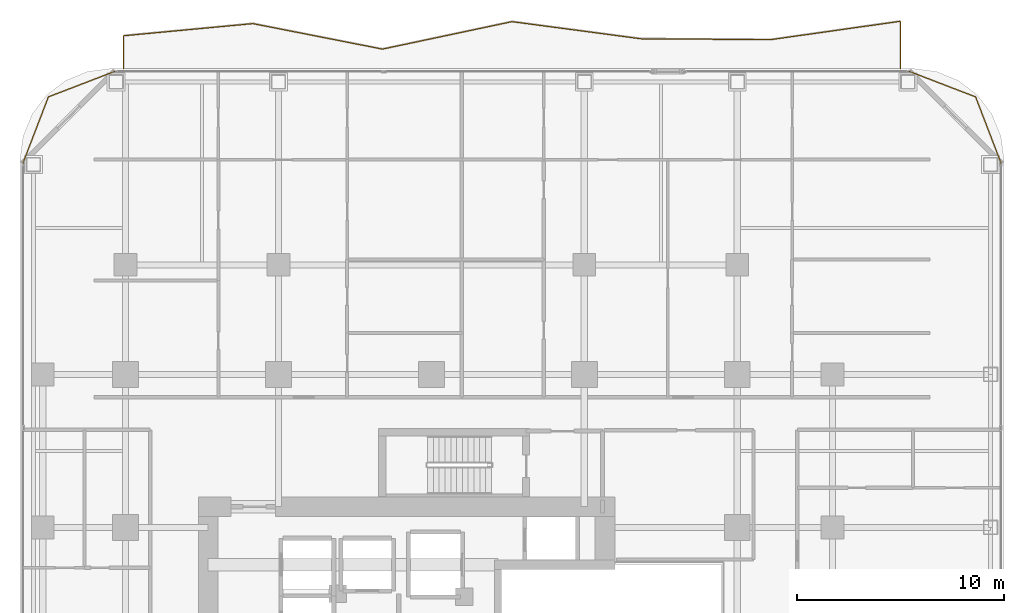
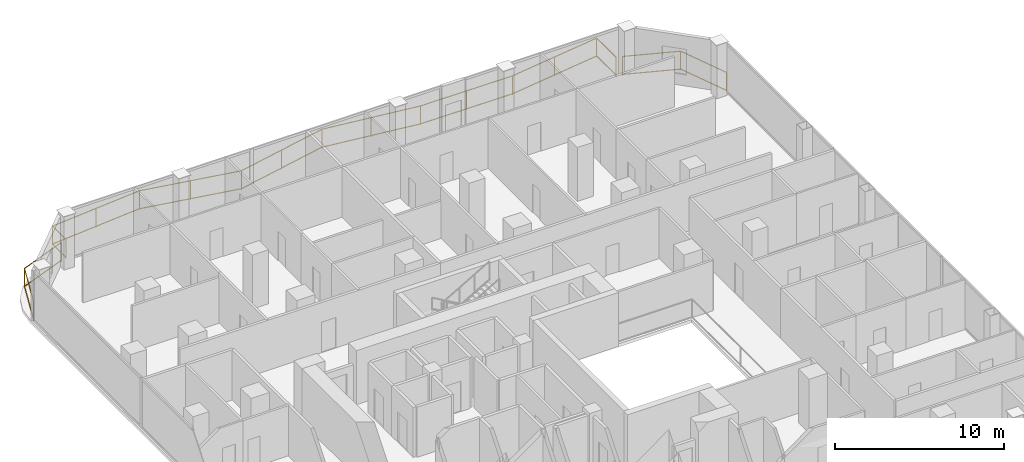
# One storey, part 27 of 27: 3 railings.
"""IFC4 building model written with IfcOpenShell, lengths in metres."""

from ifc_helpers import new_model, si_unit, direction, frame, origin, origin_2d, place, context, subcontext, project, spatial, rectangle, extrude, material, type_object, element, save


model = new_model("IFC4")

# Units and contexts
model_context = context("Model", 3, precision=1e-05, world=origin(), true_north=direction((0.0, 1.0)))
body_context = subcontext(model_context, "Body", "Model", "MODEL_VIEW")
ifc_project = project(units=[si_unit("LENGTHUNIT", "METRE"), si_unit("AREAUNIT", "SQUARE_METRE"), si_unit("VOLUMEUNIT", "CUBIC_METRE"), si_unit("PLANEANGLEUNIT", "RADIAN"), si_unit("MASSUNIT", "GRAM", prefix="KILO")], contexts=[model_context])

# Site, building, storey
site_placement = place(None, origin())
site = spatial("IfcSite", under=ifc_project, at=site_placement, CompositionType="ELEMENT")
building_placement = place(site_placement, origin())
building = spatial("IfcBuilding", under=site, at=building_placement, Name="Khorvyn Point Tower", CompositionType="ELEMENT")
storey_placement = place(building_placement, frame((0.0, 0.0, 132.89990234375)))
storey = spatial("IfcBuildingStorey", under=building, at=storey_placement, Name="L33", CompositionType="ELEMENT", Elevation=132.89990234375)

# Railings
ifc_material = material(Name="Anodised aluminium 6063-T6 and laminated safety glass", Category="aluminium")
railing_type = type_object("IfcRailingType", Name="Laminated Glass and Aluminium Balcony Guardrail 1400", PredefinedType="BALUSTRADE", material=ifc_material)
railing_1_placement = place(storey_placement, frame((-15.27587890625, 29.47412109375, 0.0)))
element("IfcRailing", 1, at=railing_1_placement, inside=storey, type_object=railing_type, Name="L33 Rounded Corner Edge Guardrail NW", PredefinedType="BALUSTRADE", context=body_context, shape_type="SweptSolid", body=[
    extrude(rectangle(XDim=0.048095703125, YDim=0.048095703125, at=origin_2d()), frame((0.0, 0.0, 1.3759765625), z_axis=(-0.933574931257, -0.358382264808, 0.0), x_axis=(0.358382264808, -0.933574931257, 0.0)), (0.0, 0.0, 1.0), 3.481689453125),
    extrude(rectangle(XDim=0.048095703125, YDim=0.048095703125, at=origin_2d()), frame((0.0, 0.0, 0.080078125), z_axis=(-0.933574931257, -0.358382264808, 0.0), x_axis=(0.358382264808, -0.933574931257, 0.0)), (0.0, 0.0, 1.0), 3.481689453125),
    extrude(rectangle(XDim=0.048095703125, YDim=0.048095703125, at=origin_2d()), frame((-3.25048828125, -1.247802734375, 1.3759765625), z_axis=(-0.35840572668, -0.933565924337, 0.0), x_axis=(0.933565924337, -0.35840572668, 0.0)), (0.0, 0.0, 1.0), 3.4814453125),
    extrude(rectangle(XDim=0.048095703125, YDim=0.048095703125, at=origin_2d()), frame((-3.25048828125, -1.247802734375, 0.080078125), z_axis=(-0.35840572668, -0.933565924337, 0.0), x_axis=(0.933565924337, -0.35840572668, 0.0)), (0.0, 0.0, 1.0), 3.4814453125),
    extrude(rectangle(XDim=0.0419921875, YDim=0.0419921875, at=origin_2d()), origin(), (0.0, 0.0, 1.0), 1.351806640625),
    extrude(rectangle(XDim=0.0419921875, YDim=0.0419921875, at=origin_2d()), frame((-3.25048828125, -1.247802734375, 0.0)), (0.0, 0.0, 1.0), 1.351806640625),
    extrude(rectangle(XDim=0.0419921875, YDim=0.0419921875, at=origin_2d()), frame((-4.498291015625, -4.498046875, 0.0)), (0.0, 0.0, 1.0), 1.351806640625),
])
railing_2_placement = place(storey_placement, frame((27.57421875, 24.97607421875, 0.0)))
element("IfcRailing", 2, at=railing_2_placement, inside=storey, type_object=railing_type, Name="L33 Rounded Corner Edge Guardrail NE", PredefinedType="BALUSTRADE", context=body_context, shape_type="SweptSolid", body=[
    extrude(rectangle(XDim=0.048095703125, YDim=0.048095703125, at=origin_2d()), frame((0.0, 0.0, 1.3759765625), z_axis=(-0.35840572668, 0.933565924337, 0.0), x_axis=(-0.933565924337, -0.35840572668, 0.0)), (0.0, 0.0, 1.0), 3.4814453125),
    extrude(rectangle(XDim=0.048095703125, YDim=0.048095703125, at=origin_2d()), frame((0.0, 0.0, 0.080078125), z_axis=(-0.35840572668, 0.933565924337, 0.0), x_axis=(-0.933565924337, -0.35840572668, 0.0)), (0.0, 0.0, 1.0), 3.4814453125),
    extrude(rectangle(XDim=0.048095703125, YDim=0.048095703125, at=origin_2d()), frame((-1.247802734375, 3.250244140625, 1.3759765625), z_axis=(-0.933574931257, 0.358382264808, 0.0), x_axis=(-0.358382264808, -0.933574931257, 0.0)), (0.0, 0.0, 1.0), 3.481689453125),
    extrude(rectangle(XDim=0.048095703125, YDim=0.048095703125, at=origin_2d()), frame((-1.247802734375, 3.250244140625, 0.080078125), z_axis=(-0.933574931257, 0.358382264808, 0.0), x_axis=(-0.358382264808, -0.933574931257, 0.0)), (0.0, 0.0, 1.0), 3.481689453125),
    extrude(rectangle(XDim=0.0419921875, YDim=0.0419921875, at=origin_2d()), origin(), (0.0, 0.0, 1.0), 1.351806640625),
    extrude(rectangle(XDim=0.0419921875, YDim=0.0419921875, at=origin_2d()), frame((-1.247802734375, 3.250244140625, 0.0)), (0.0, 0.0, 1.0), 1.351806640625),
    extrude(rectangle(XDim=0.0419921875, YDim=0.0419921875, at=origin_2d()), frame((-4.498291015625, 4.498046875, 0.0)), (0.0, 0.0, 1.0), 1.351806640625),
])
railing_3_placement = place(storey_placement, frame((22.699951171875, 29.60009765625, 0.0)))
element("IfcRailing", 3, at=railing_3_placement, inside=storey, type_object=railing_type, Name="L33 North Balcony Guardrail", PredefinedType="BALUSTRADE", context=body_context, shape_type="SweptSolid", body=[
    extrude(rectangle(XDim=0.048095703125, YDim=0.048095703125, at=origin_2d()), frame((0.0, 0.0, 1.3759765625), z_axis=(0.0, 1.0, 0.0), x_axis=(-1.0, 0.0, 0.0)), (0.0, 0.0, 1.0), 2.285400390625),
    extrude(rectangle(XDim=0.048095703125, YDim=0.048095703125, at=origin_2d()), frame((0.0, 0.0, 0.080078125), z_axis=(0.0, 1.0, 0.0), x_axis=(-1.0, 0.0, 0.0)), (0.0, 0.0, 1.0), 2.285400390625),
    extrude(rectangle(XDim=0.048095703125, YDim=0.048095703125, at=origin_2d()), frame((0.0, 2.285400390625, 1.3759765625), z_axis=(-0.990115445767, -0.14025478264, 0.0), x_axis=(0.14025478264, -0.990115445767, 0.0)), (0.0, 0.0, 1.0), 6.3291015625),
    extrude(rectangle(XDim=0.048095703125, YDim=0.048095703125, at=origin_2d()), frame((0.0, 2.285400390625, 0.080078125), z_axis=(-0.990115445767, -0.14025478264, 0.0), x_axis=(0.14025478264, -0.990115445767, 0.0)), (0.0, 0.0, 1.0), 6.3291015625),
    extrude(rectangle(XDim=0.048095703125, YDim=0.048095703125, at=origin_2d()), frame((-6.2666015625, 1.397705078125, 1.3759765625), z_axis=(-0.999983823628, 0.005687924195, 0.0), x_axis=(-0.005687924195, -0.999983823628, 0.0)), (0.0, 0.0, 1.0), 6.2666015625),
    extrude(rectangle(XDim=0.048095703125, YDim=0.048095703125, at=origin_2d()), frame((-6.2666015625, 1.397705078125, 0.080078125), z_axis=(-0.999983823628, 0.005687924195, 0.0), x_axis=(-0.005687924195, -0.999983823628, 0.0)), (0.0, 0.0, 1.0), 6.2666015625),
    extrude(rectangle(XDim=0.048095703125, YDim=0.048095703125, at=origin_2d()), frame((-12.533203125, 1.433349609375, 1.3759765625), z_axis=(-0.991301274435, 0.131612246027, 0.0), x_axis=(-0.131612246027, -0.991301274435, 0.0)), (0.0, 0.0, 1.0), 6.32177734375),
    extrude(rectangle(XDim=0.048095703125, YDim=0.048095703125, at=origin_2d()), frame((-12.533203125, 1.433349609375, 0.080078125), z_axis=(-0.991301274435, 0.131612246027, 0.0), x_axis=(-0.131612246027, -0.991301274435, 0.0)), (0.0, 0.0, 1.0), 6.32177734375),
    extrude(rectangle(XDim=0.048095703125, YDim=0.048095703125, at=origin_2d()), frame((-18.800048828125, 2.265380859375, 1.3759765625), z_axis=(-0.978247485563, -0.207441213336, 0.0), x_axis=(0.207441213336, -0.978247485563, 0.0)), (0.0, 0.0, 1.0), 6.406005859375),
    extrude(rectangle(XDim=0.048095703125, YDim=0.048095703125, at=origin_2d()), frame((-18.800048828125, 2.265380859375, 0.080078125), z_axis=(-0.978247485563, -0.207441213336, 0.0), x_axis=(0.207441213336, -0.978247485563, 0.0)), (0.0, 0.0, 1.0), 6.406005859375),
    extrude(rectangle(XDim=0.048095703125, YDim=0.048095703125, at=origin_2d()), frame((-25.066650390625, 0.9365234375, 1.3759765625), z_axis=(-0.98116869385, 0.193152774272, 0.0), x_axis=(-0.193152774272, -0.98116869385, 0.0)), (0.0, 0.0, 1.0), 6.386962890625),
    extrude(rectangle(XDim=0.048095703125, YDim=0.048095703125, at=origin_2d()), frame((-25.066650390625, 0.9365234375, 0.080078125), z_axis=(-0.98116869385, 0.193152774272, 0.0), x_axis=(-0.193152774272, -0.98116869385, 0.0)), (0.0, 0.0, 1.0), 6.386962890625),
    extrude(rectangle(XDim=0.048095703125, YDim=0.048095703125, at=origin_2d()), frame((-31.333251953125, 2.170166015625, 1.3759765625), z_axis=(-0.995617538352, -0.09351854001, 0.0), x_axis=(0.09351854001, -0.995617538352, 0.0)), (0.0, 0.0, 1.0), 6.294189453125),
    extrude(rectangle(XDim=0.048095703125, YDim=0.048095703125, at=origin_2d()), frame((-31.333251953125, 2.170166015625, 0.080078125), z_axis=(-0.995617538352, -0.09351854001, 0.0), x_axis=(0.09351854001, -0.995617538352, 0.0)), (0.0, 0.0, 1.0), 6.294189453125),
    extrude(rectangle(XDim=0.048095703125, YDim=0.048095703125, at=origin_2d()), frame((-37.599853515625, 1.58154296875, 1.3759765625), z_axis=(0.0, -1.0, 0.0), x_axis=(1.0, 0.0, 0.0)), (0.0, 0.0, 1.0), 1.58154296875),
    extrude(rectangle(XDim=0.048095703125, YDim=0.048095703125, at=origin_2d()), frame((-37.599853515625, 1.58154296875, 0.080078125), z_axis=(0.0, -1.0, 0.0), x_axis=(1.0, 0.0, 0.0)), (0.0, 0.0, 1.0), 1.58154296875),
    extrude(rectangle(XDim=0.0419921875, YDim=0.0419921875, at=origin_2d()), origin(), (0.0, 0.0, 1.0), 1.351806640625),
    extrude(rectangle(XDim=0.0419921875, YDim=0.0419921875, at=origin_2d()), frame((0.0, 2.285400390625, 0.0)), (0.0, 0.0, 1.0), 1.351806640625),
    extrude(rectangle(XDim=0.0419921875, YDim=0.0419921875, at=origin_2d()), frame((-3.13330078125, 1.841552734375, 0.0)), (0.0, 0.0, 1.0), 1.351806640625),
    extrude(rectangle(XDim=0.0419921875, YDim=0.0419921875, at=origin_2d()), frame((-6.2666015625, 1.397705078125, 0.0)), (0.0, 0.0, 1.0), 1.351806640625),
    extrude(rectangle(XDim=0.0419921875, YDim=0.0419921875, at=origin_2d()), frame((-9.39990234375, 1.41552734375, 0.0)), (0.0, 0.0, 1.0), 1.351806640625),
    extrude(rectangle(XDim=0.0419921875, YDim=0.0419921875, at=origin_2d()), frame((-12.533203125, 1.433349609375, 0.0)), (0.0, 0.0, 1.0), 1.351806640625),
    extrude(rectangle(XDim=0.0419921875, YDim=0.0419921875, at=origin_2d()), frame((-15.66650390625, 1.849365234375, 0.0)), (0.0, 0.0, 1.0), 1.351806640625),
    extrude(rectangle(XDim=0.0419921875, YDim=0.0419921875, at=origin_2d()), frame((-18.800048828125, 2.265380859375, 0.0)), (0.0, 0.0, 1.0), 1.351806640625),
    extrude(rectangle(XDim=0.0419921875, YDim=0.0419921875, at=origin_2d()), frame((-21.933349609375, 1.60107421875, 0.0)), (0.0, 0.0, 1.0), 1.351806640625),
    extrude(rectangle(XDim=0.0419921875, YDim=0.0419921875, at=origin_2d()), frame((-25.066650390625, 0.9365234375, 0.0)), (0.0, 0.0, 1.0), 1.351806640625),
    extrude(rectangle(XDim=0.0419921875, YDim=0.0419921875, at=origin_2d()), frame((-28.199951171875, 1.55322265625, 0.0)), (0.0, 0.0, 1.0), 1.351806640625),
    extrude(rectangle(XDim=0.0419921875, YDim=0.0419921875, at=origin_2d()), frame((-31.333251953125, 2.170166015625, 0.0)), (0.0, 0.0, 1.0), 1.351806640625),
    extrude(rectangle(XDim=0.0419921875, YDim=0.0419921875, at=origin_2d()), frame((-34.466552734375, 1.8759765625, 0.0)), (0.0, 0.0, 1.0), 1.351806640625),
    extrude(rectangle(XDim=0.0419921875, YDim=0.0419921875, at=origin_2d()), frame((-37.599853515625, 1.58154296875, 0.0)), (0.0, 0.0, 1.0), 1.351806640625),
    extrude(rectangle(XDim=0.0419921875, YDim=0.0419921875, at=origin_2d()), frame((-37.599853515625, 0.0, 0.0)), (0.0, 0.0, 1.0), 1.351806640625),
])

save(model, "model.ifc")
